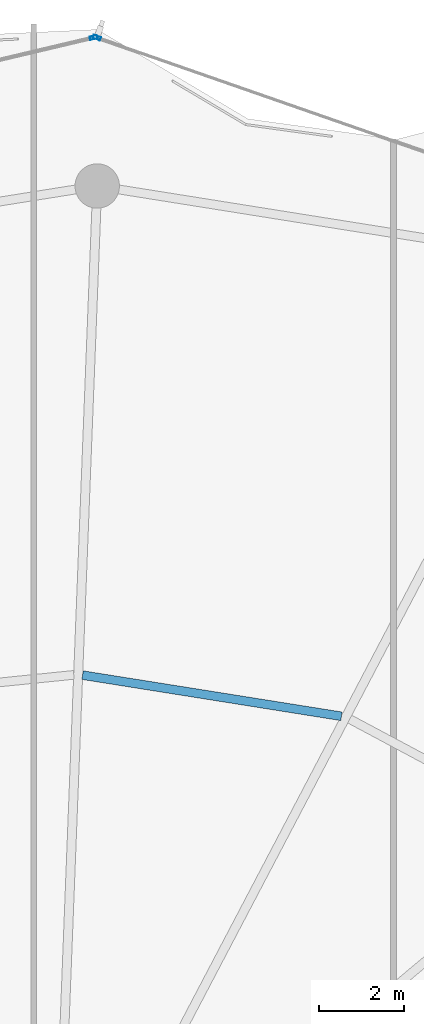
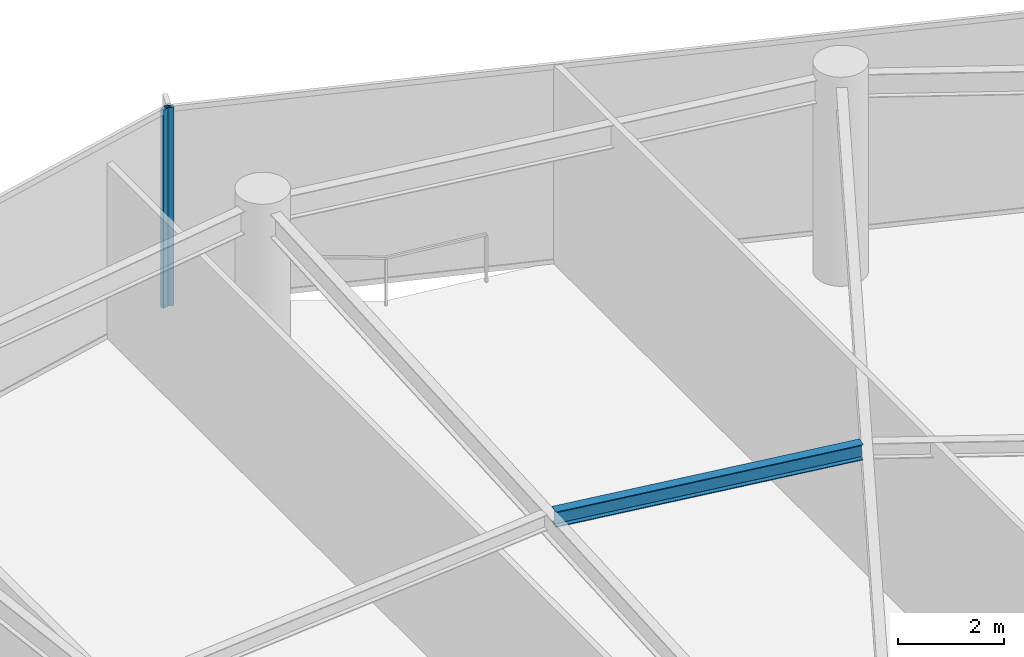
# One storey, part 19 of 28: 2 members, 1 beam, 2 elements without a shape of their own.
"""IFC4 building model written with IfcOpenShell, lengths in metres."""

import ifcopenshell
import ifcopenshell.guid

model = None  # the IFC model being written
_history = None  # IfcOwnerHistory: only IFC2X3 demands one
_inside = {}  # id of a spatial element -> (the spatial element, [elements in it])
_under = {}  # id of a project, library or spatial element -> (it, [spatial elements below it])
_declared = {}  # id of a project -> (the project, [libraries it declares])
_typed = {}  # id of a type object -> (the type object, [elements of that type])
_made_of = {}  # id of a material, layer set ... -> (it, [elements and type objects made of it])


def new_model(schema):
    """Start an empty IFC model of exactly this schema.

    Asked for "IFC4X3", IfcOpenShell would pick the latest addendum, in which some entities
    have other attributes; the version numbers below select the first issue.
    IFC2X3 requires an IfcOwnerHistory on every rooted entity: one is made here for all.
    """
    global model, _history
    if schema == "IFC4X3":
        model = ifcopenshell.file(schema_version=(4, 3, 0, 0))
    else:
        model = ifcopenshell.file(schema=schema)
    _inside.clear()
    _under.clear()
    _declared.clear()
    _typed.clear()
    _made_of.clear()
    _history = None
    if model.schema == "IFC2X3":
        org = make("IfcOrganization", Name="unknown")
        user = make(
            "IfcPersonAndOrganization",
            ThePerson=make("IfcPerson", FamilyName="unknown"),
            TheOrganization=org,
        )
        app = make(
            "IfcApplication",
            ApplicationDeveloper=org,
            Version="unknown",
            ApplicationFullName="unknown",
            ApplicationIdentifier="unknown",
        )
        _history = make(
            "IfcOwnerHistory",
            OwningUser=user,
            OwningApplication=app,
            ChangeAction="ADDED",
            CreationDate=0,
        )
    return model


def make(cls, **values):
    """One entity of the class cls with the attributes given. An attribute that is None is left unset."""
    return model.create_entity(
        cls, **{name: value for name, value in values.items() if value is not None}
    )


def rooted(cls, **values):
    """An entity with a GlobalId (a new one), such as an element, a storey or a relation."""
    return make(cls, GlobalId=ifcopenshell.guid.new(), OwnerHistory=_history, **values)


def si_unit(unit_type, name, prefix=None):
    """IfcSIUnit, for example si_unit("LENGTHUNIT", "METRE", prefix="MILLI")."""
    return make("IfcSIUnit", UnitType=unit_type, Prefix=prefix, Name=name)


def assignment(units):
    """IfcUnitAssignment: the units of a project."""
    return None if units is None else make("IfcUnitAssignment", Units=units)


def point(xyz):
    """IfcCartesianPoint."""
    return None if xyz is None else make("IfcCartesianPoint", Coordinates=xyz)


def direction(xyz):
    """IfcDirection."""
    return None if xyz is None else make("IfcDirection", DirectionRatios=xyz)


def frame(location, z_axis=None, x_axis=None):
    """IfcAxis2Placement3D, a coordinate frame: its origin and axes. An axis left out is left unset."""
    return make(
        "IfcAxis2Placement3D",
        Location=point(location),
        Axis=direction(z_axis),
        RefDirection=direction(x_axis),
    )


def frame_2d(location, x_axis=None):
    """IfcAxis2Placement2D, a coordinate frame in the plane: its origin and x axis."""
    return make(
        "IfcAxis2Placement2D", Location=point(location), RefDirection=direction(x_axis)
    )


def origin():
    """The frame at (0, 0, 0) with its axes left unset."""
    return frame((0.0, 0.0, 0.0))


def origin_2d():
    """The frame at (0, 0) in the plane with its x axis left unset."""
    return frame_2d((0.0, 0.0))


def place(relative_to, where):
    """IfcLocalPlacement: puts the frame where relative to a parent placement (None: the world)."""
    return make(
        "IfcLocalPlacement", PlacementRelTo=relative_to, RelativePlacement=where
    )


def context(
    kind, dimensions, precision=None, world=None, true_north=None, identifier=None
):
    """IfcGeometricRepresentationContext, for example the 3D "Model" context."""
    return make(
        "IfcGeometricRepresentationContext",
        ContextIdentifier=identifier,
        ContextType=kind,
        CoordinateSpaceDimension=dimensions,
        Precision=precision,
        WorldCoordinateSystem=world,
        TrueNorth=true_north,
    )


def subcontext(parent, identifier, kind, view, scale=None):
    """IfcGeometricRepresentationSubContext, for example "Body" below "Model"."""
    return make(
        "IfcGeometricRepresentationSubContext",
        ContextIdentifier=identifier,
        ContextType=kind,
        ParentContext=parent,
        TargetScale=scale,
        TargetView=view,
    )


def project(units=None, contexts=None):
    """IfcProject with its units and contexts."""
    return rooted(
        "IfcProject",
        Name="project",
        RepresentationContexts=contexts,
        UnitsInContext=assignment(units),
    )


def spatial(cls, under=None, at=None, **own):
    """A site, building, storey or space (cls), placed at a placement, below another one or the project."""
    s = rooted(cls, ObjectPlacement=at, **own)
    if under is not None:
        _under.setdefault(under.id(), (under, []))[1].append(s)
    return s


def profile(cls, at=None, kind="AREA", **sizes):
    """A parametric profile (cls). Its sizes go by their IFC names, for example OverallWidth=200.0."""
    return make(cls, ProfileType=kind, Position=at, **sizes)


def hollow_rectangle(**sizes):
    """IfcRectangleHollowProfileDef."""
    return profile("IfcRectangleHollowProfileDef", **sizes)


def i_section(**sizes):
    """IfcIShapeProfileDef."""
    return profile("IfcIShapeProfileDef", **sizes)


def extrude(swept, where, along, depth):
    """IfcExtrudedAreaSolid: the profile swept, set in the frame where, extruded along a direction by depth."""
    return make(
        "IfcExtrudedAreaSolid",
        SweptArea=swept,
        Position=where,
        ExtrudedDirection=direction(along),
        Depth=depth,
    )


def shape(context_of_items, identifier, shape_type, items):
    """IfcShapeRepresentation: the items that make up one representation, for example the "Body"."""
    return make(
        "IfcShapeRepresentation",
        ContextOfItems=context_of_items,
        RepresentationIdentifier=identifier,
        RepresentationType=shape_type,
        Items=items,
    )


def material(Name=None, Category=None):
    """IfcMaterial."""
    return make("IfcMaterial", Name=Name, Category=Category)


def layer(
    of_material, thickness, ventilated=None, Name=None, Category=None, Priority=None
):
    """IfcMaterialLayer: one layer of a wall or slab, of a material (None: an air gap)."""
    return make(
        "IfcMaterialLayer",
        Material=of_material,
        LayerThickness=thickness,
        IsVentilated=ventilated,
        Name=Name,
        Category=Category,
        Priority=Priority,
    )


def layer_set(layers, Name=None):
    """IfcMaterialLayerSet."""
    return make("IfcMaterialLayerSet", MaterialLayers=layers, LayerSetName=Name)


def material_profile(
    of_material, cross_section, Name=None, Category=None, Priority=None
):
    """IfcMaterialProfile: a cross section and its material."""
    return make(
        "IfcMaterialProfile",
        Name=Name,
        Material=of_material,
        Profile=cross_section,
        Priority=Priority,
        Category=Category,
    )


def profile_set(profiles, Name=None, composite=None):
    """IfcMaterialProfileSet."""
    return make(
        "IfcMaterialProfileSet",
        Name=Name,
        MaterialProfiles=profiles,
        CompositeProfile=composite,
    )


def made_of(thing, what):
    """Note that an element or type object is made of a material, layer set ...; save() writes the relation."""
    if what is not None:
        _made_of.setdefault(what.id(), (what, []))[1].append(thing)
    return thing


def type_object(cls, material=None, **own):
    """A type object (cls), such as IfcWallType, which elements share."""
    return made_of(rooted(cls, **own), material)


def element(
    cls,
    number,
    at=None,
    inside=None,
    cuts=None,
    type_object=None,
    material=None,
    context=None,
    identifier="Body",
    shape_type=None,
    held_by="IfcProductDefinitionShape",
    body=None,
    shapes=None,
    **own,
):
    """One element of the class cls, such as IfcWall. Its Tag is "e" and its number.

    at: its placement. inside: the storey or other place that contains it. cuts: it is an
    opening in that element (IfcRelVoidsElement). A single representation is given by context,
    identifier, shape_type and body (its items); several are given by shapes. held_by: the class
    of the entity that holds the representations. save() writes the other relations.
    """
    e = rooted(cls, Tag="e%d" % number, ObjectPlacement=at, **own)
    if body is not None:
        shapes = [shape(context, identifier, shape_type, body)]
    if shapes is not None:
        e.Representation = make(held_by, Representations=shapes)
    if inside is not None:
        _inside.setdefault(inside.id(), (inside, []))[1].append(e)
    if cuts is not None:
        rooted(
            "IfcRelVoidsElement", RelatingBuildingElement=cuts, RelatedOpeningElement=e
        )
    if type_object is not None:
        _typed.setdefault(type_object.id(), (type_object, []))[1].append(e)
    return made_of(e, material)


def aggregate(whole, parts):
    """IfcRelAggregates: a whole, such as a stair, and the parts it consists of."""
    return rooted("IfcRelAggregates", RelatingObject=whole, RelatedObjects=parts)


def save(model, path):
    """Write the relations noted so far, then the file.

    IfcRelAggregates (storeys below a building ...), IfcRelContainedInSpatialStructure (elements
    in a storey), IfcRelDefinesByType, IfcRelAssociatesMaterial and IfcRelDeclares: one each for
    every whole, place, type object, material and project.
    """
    for whole, parts in _under.values():
        aggregate(whole, parts)
    for where, things in _inside.values():
        rooted(
            "IfcRelContainedInSpatialStructure",
            RelatedElements=things,
            RelatingStructure=where,
        )
    for kind, things in _typed.values():
        rooted("IfcRelDefinesByType", RelatedObjects=things, RelatingType=kind)
    for what, things in _made_of.values():
        rooted("IfcRelAssociatesMaterial", RelatedObjects=things, RelatingMaterial=what)
    for by, libraries in _declared.values():
        rooted("IfcRelDeclares", RelatingContext=by, RelatedDefinitions=libraries)
    model.write(path)


model = new_model("IFC4")

# Units and contexts
model_context = context("Model", 3, precision=1e-05, world=origin(), true_north=direction((0.0, 1.0)))
body_context = subcontext(model_context, "Body", "Model", "MODEL_VIEW")
ifc_project = project(units=[si_unit("LENGTHUNIT", "METRE"), si_unit("AREAUNIT", "SQUARE_METRE"), si_unit("VOLUMEUNIT", "CUBIC_METRE"), si_unit("PLANEANGLEUNIT", "RADIAN"), si_unit("MASSUNIT", "GRAM", prefix="KILO")], contexts=[model_context])

# Site, building, storey
site_placement = place(None, origin())
site = spatial("IfcSite", under=ifc_project, at=site_placement, CompositionType="ELEMENT")
building_placement = place(site_placement, origin())
building = spatial("IfcBuilding", under=site, at=building_placement, Name="Kazevale Care Tower and Concert Hall", CompositionType="ELEMENT")
storey_placement = place(building_placement, frame((0.0, 0.0, 190.800048828125)))
storey = spatial("IfcBuildingStorey", under=building, at=storey_placement, Name="L50", CompositionType="ELEMENT", Elevation=190.800048828125)

# Curtain wall, member
ifc_material_1 = material(Name="Aluminium 6063-T6 and Low-E Glass", Category="aluminium")
ifc_layer_1 = layer(ifc_material_1, 0.179931640625)
ifc_layer_set_1 = layer_set([ifc_layer_1], Name="Aluminium 6063-T6 and Low-E Glass")
curtain_wall_type_1 = type_object("IfcCurtainWallType", Name="Convex Checkerboard Finned Curtain Wall CW-2", PredefinedType="NOTDEFINED", material=ifc_layer_set_1)
curtain_wall_1_placement = place(storey_placement, origin())
curtain_wall_1 = element("IfcCurtainWall", 1, at=curtain_wall_1_placement, inside=storey, type_object=curtain_wall_type_1, Name="cw:L50:f16", PredefinedType="NOTDEFINED")
ifc_material_2 = material(Name="Aluminium 6063-T6", Category="aluminium")
ifc_material_profile_1 = material_profile(ifc_material_2, hollow_rectangle(XDim=0.080078125, YDim=0.179931640625, WallThickness=0.0048828125, at=origin_2d()), Name="ALU80x180x5")
ifc_profile_set_1 = profile_set([ifc_material_profile_1], Name="Aluminium 6063-T6")
member_type_1 = type_object("IfcMemberType", Name="CW-2 Mullion ALU80x180x5", PredefinedType="MULLION", material=ifc_profile_set_1)
member_1_placement = place(storey_placement, frame((44.99169921875, 65.554931640625, 0.0), z_axis=(0.0, 0.0, 1.0), x_axis=(0.328583704497, 0.94447485363, 0.0)))
member_1 = element("IfcMember", 2, at=member_1_placement, type_object=member_type_1, Name="CW-2 mullion 1", PredefinedType="MULLION", context=body_context, shape_type="SweptSolid", body=[
    extrude(hollow_rectangle(XDim=0.080078125, YDim=0.179931640625, WallThickness=0.0048828125, at=origin_2d()), origin(), (0.0, 0.0, 1.0), 4.56005859375),
])
aggregate(curtain_wall_1, [member_1])

ifc_layer_2 = layer(ifc_material_1, 0.179931640625)
ifc_layer_set_2 = layer_set([ifc_layer_2], Name="Aluminium 6063-T6 and Low-E Glass")
curtain_wall_type_2 = type_object("IfcCurtainWallType", Name="Waist & Upper Residential Curtain Wall CW-4", PredefinedType="NOTDEFINED", material=ifc_layer_set_2)
curtain_wall_2_placement = place(storey_placement, origin())
curtain_wall_2 = element("IfcCurtainWall", 3, at=curtain_wall_2_placement, inside=storey, type_object=curtain_wall_type_2, Name="cw:L50:f15", PredefinedType="NOTDEFINED")
ifc_material_profile_2 = material_profile(ifc_material_2, hollow_rectangle(XDim=0.080078125, YDim=0.179931640625, WallThickness=0.0048828125, at=origin_2d()), Name="ALU80x180x5")
ifc_profile_set_2 = profile_set([ifc_material_profile_2], Name="Aluminium 6063-T6")
member_type_2 = type_object("IfcMemberType", Name="CW-4 Mullion ALU80x180x5", PredefinedType="MULLION", material=ifc_profile_set_2)
member_2_placement = place(storey_placement, frame((44.9150390625, 65.558837890625, 0.0), z_axis=(0.0, 0.0, 1.0), x_axis=(-0.230439111929, 0.973086746233, 0.0)))
member_2 = element("IfcMember", 4, at=member_2_placement, type_object=member_type_2, Name="CW-4 mullion 2", PredefinedType="MULLION", context=body_context, shape_type="SweptSolid", body=[
    extrude(hollow_rectangle(XDim=0.080078125, YDim=0.179931640625, WallThickness=0.0048828125, at=origin_2d()), origin(), (0.0, 0.0, 1.0), 4.56005859375),
])
aggregate(curtain_wall_2, [member_2])

# Beam
ifc_material_3 = material(Name="Steel ASTM A572 Gr 50", Category="steel")
ifc_material_profile_3 = material_profile(ifc_material_3, i_section(OverallWidth=0.205078125, OverallDepth=0.35400390625, WebThickness=0.009521484375, FlangeThickness=0.016845703125, at=origin_2d()), Name="W360x79")
ifc_profile_set_3 = profile_set([ifc_material_profile_3], Name="Steel ASTM A572 Gr 50")
beam_type = type_object("IfcBeamType", Name="Secondary Floor Joist W360x79", PredefinedType="JOIST", material=ifc_profile_set_3)
beam_placement = place(storey_placement, frame((50.77099609375, 49.51806640625, 4.383056640625), z_axis=(-0.987586560603, 0.157075731152, 0.0), x_axis=(-0.157075731152, -0.987586560603, 0.0)))
element("IfcBeam", 5, at=beam_placement, inside=storey, type_object=beam_type, Name="beam:L50:joist:04", PredefinedType="JOIST", context=body_context, shape_type="SweptSolid", body=[
    extrude(i_section(OverallWidth=0.205078125, OverallDepth=0.35400390625, WebThickness=0.009521484375, FlangeThickness=0.016845703125, at=origin_2d()), origin(), (0.0, 0.0, 1.0), 6.19384765625),
])

save(model, "model.ifc")
